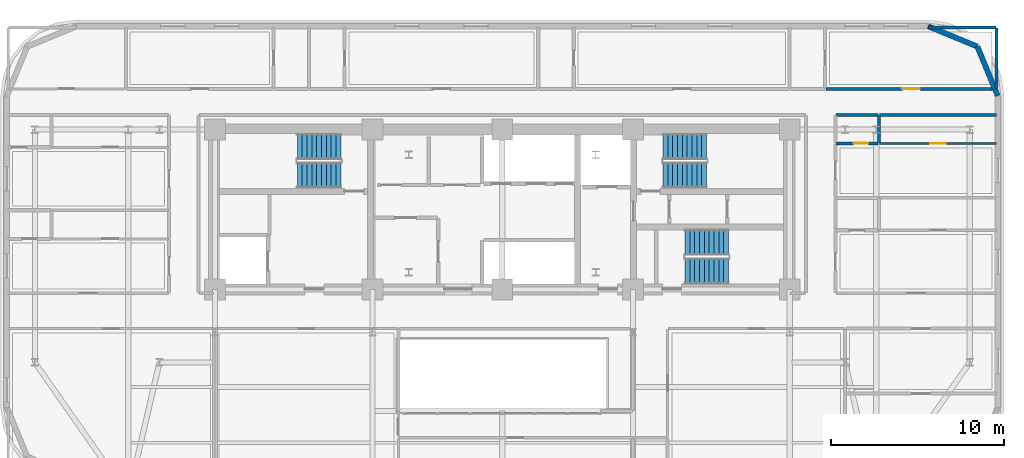
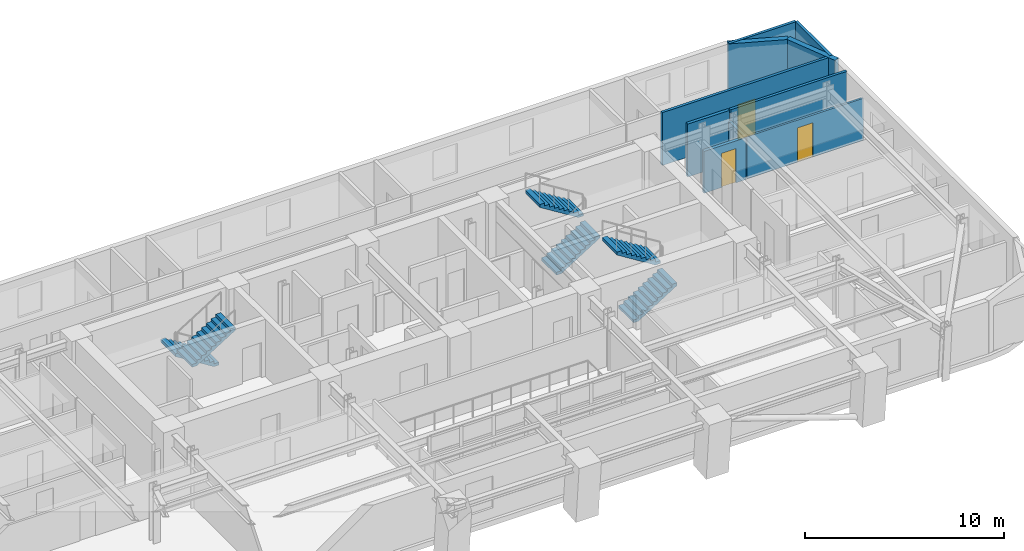
# One storey, part 11 of 14: 10 walls, 6 stair flights, 3 doors, 3 openings, 3 elements without a shape of their own.
"""IFC4 building model written with IfcOpenShell, lengths in metres."""

from ifc_helpers import new_model, si_unit, direction, frame, frame_2d, origin, place, context, subcontext, project, spatial, polyline, rectangle, outline, extrude, material, layer, layer_set, type_object, element, fill, aggregate, save


model = new_model("IFC4")

# Units and contexts
model_context = context("Model", 3, precision=1e-05, world=origin(), true_north=direction((0.0, 1.0)))
body_context = subcontext(model_context, "Body", "Model", "MODEL_VIEW")
ifc_project = project(units=[si_unit("LENGTHUNIT", "METRE"), si_unit("AREAUNIT", "SQUARE_METRE"), si_unit("VOLUMEUNIT", "CUBIC_METRE"), si_unit("PLANEANGLEUNIT", "RADIAN"), si_unit("MASSUNIT", "GRAM", prefix="KILO")], contexts=[model_context])

# Site, building, storey
site_placement = place(None, origin())
site = spatial("IfcSite", under=ifc_project, at=site_placement, CompositionType="ELEMENT")
building_placement = place(site_placement, origin())
building = spatial("IfcBuilding", under=site, at=building_placement, Name="Zarnavel Station Tower", CompositionType="ELEMENT")
storey_placement = place(building_placement, frame((0.0, 0.0, 122.300048828125)))
storey = spatial("IfcBuildingStorey", under=building, at=storey_placement, Name="L33", CompositionType="ELEMENT", Elevation=122.300048828125)

# Walls
ifc_material_1 = material(Name="Precast concrete C45/55 (Dark Basalt Finish)", Category="masonry")
ifc_layer_1 = layer(ifc_material_1, 0.300048828125)
ifc_layer_set_1 = layer_set([ifc_layer_1], Name="EW_BASALT_300")
wall_type_1 = type_object("IfcWallType", Name="EW_BASALT_300", PredefinedType="SOLIDWALL", material=ifc_layer_set_1)
wall_1_placement = place(storey_placement, frame((56.24267578125, 41.842529296875, 0.0), z_axis=(0.0, 0.0, 1.0), x_axis=(0.382636798336, -0.92389884758, 0.0)))
element("IfcWall", 1, at=wall_1_placement, inside=storey, type_object=wall_type_1, Name="L33 Exterior Basalt Masonry Frame Wall 04", PredefinedType="SOLIDWALL", context=body_context, shape_type="SweptSolid", body=[
    extrude(rectangle(XDim=3.07666015625, YDim=0.300048828125, at=frame_2d((1.538330078125, 0.0))), origin(), (0.0, 0.0, 1.0), 3.239990234375),
])
wall_2_placement = place(storey_placement, frame((53.39990234375, 43.02001953125, 0.0), z_axis=(0.0, 0.0, 1.0), x_axis=(0.923882414032, -0.382676475685, 0.0)))
element("IfcWall", 2, at=wall_2_placement, inside=storey, type_object=wall_type_1, Name="L33 Exterior Basalt Masonry Frame Wall 05", PredefinedType="SOLIDWALL", context=body_context, shape_type="SweptSolid", body=[
    extrude(rectangle(XDim=3.076904296875, YDim=0.300048828125, at=frame_2d((1.53857421875, 0.0))), origin(), (0.0, 0.0, 1.0), 3.239990234375),
])
ifc_material_2 = material(Name="Gypsum Twin-Stud Acoustic Fire Partition", Category="concrete")
ifc_layer_2 = layer(ifc_material_2, 0.159912109375)
ifc_layer_set_2 = layer_set([ifc_layer_2], Name="PT_DEMISE_160")
wall_type_2 = type_object("IfcWallType", Name="PT_DEMISE_160", PredefinedType="PARTITIONING", material=ifc_layer_set_2)
wall_3_placement = place(storey_placement, frame((50.590087890625, 37.89990234375, 0.0), z_axis=(0.0, 0.0, 1.0), x_axis=(1.0, 0.0, 0.0)))
element("IfcWall", 3, at=wall_3_placement, inside=storey, type_object=wall_type_2, Name="L33 Partition COR-N-FNE2S", PredefinedType="PARTITIONING", context=body_context, shape_type="SweptSolid", body=[
    extrude(rectangle(XDim=6.75, YDim=0.159912109375, at=frame_2d((3.375, 0.0))), origin(), (0.0, 0.0, 1.0), 3.239990234375),
])

# Wall, opening, door
wall_4_placement = place(storey_placement, frame((47.489990234375, 39.39990234375, 0.0), z_axis=(0.0, 0.0, 1.0), x_axis=(1.0, 0.0, 0.0)))
wall_4 = element("IfcWall", 4, at=wall_4_placement, inside=storey, type_object=wall_type_2, Name="L33 Partition COR-N-HN4R", PredefinedType="PARTITIONING", context=body_context, shape_type="SweptSolid", body=[
    extrude(rectangle(XDim=9.85009765625, YDim=0.159912109375, at=frame_2d((4.925048828125, 0.0))), origin(), (0.0, 0.0, 1.0), 3.239990234375),
])
opening_1_placement = place(wall_4_placement, frame((4.425048828125, 0.0, 0.0)))
opening_1 = element("IfcOpeningElement", 5, at=opening_1_placement, cuts=wall_4, Name="Opening FD02", PredefinedType="OPENING", context=body_context, shape_type="SweptSolid", body=[
    extrude(rectangle(XDim=1.0, YDim=2.14990234375, at=frame_2d((0.5, 1.074951171875))), frame((0.0, 0.08984375, 0.0), z_axis=(0.0, -1.0, 0.0), x_axis=(1.0, 0.0, 0.0)), (0.0, 0.0, 1.0), 0.179931640625),
])
ifc_material_3 = material(Name="Painted Galvanised Steel and Hardwood Leaf", Category="steel")
door_type_1 = type_object("IfcDoorType", Name="ID_ENTRY_1000", OperationType="NOTDEFINED", PredefinedType="DOOR", material=ifc_material_3)
door_1_placement = place(opening_1_placement, origin())
door_1 = element("IfcDoor", 6, at=door_1_placement, inside=storey, type_object=door_type_1, Name="L33 Door COR-N-HN4R", OperationType="SINGLE_SWING_RIGHT", OverallHeight=2.14990234375, OverallWidth=1.0, PredefinedType="DOOR", context=body_context, shape_type="SweptSolid", body=[
    extrude(rectangle(XDim=1.0, YDim=2.14990234375, at=frame_2d((0.5, 1.074951171875))), frame((0.0, 0.02490234375, 0.0), z_axis=(0.0, -1.0, 0.0), x_axis=(1.0, 0.0, 0.0)), (0.0, 0.0, 1.0), 0.050048828125),
])
fill(opening_1, door_1)

# Walls
wall_5_placement = place(storey_placement, frame((53.429931640625, 42.93994140625, 0.0), z_axis=(0.0, 0.0, 1.0), x_axis=(1.0, 0.0, 0.0)))
element("IfcWall", 7, at=wall_5_placement, inside=storey, type_object=wall_type_2, Name="L33 Enclosure Wall HN4R", PredefinedType="PARTITIONING", context=body_context, shape_type="SweptSolid", body=[
    extrude(rectangle(XDim=3.880126953125, YDim=0.159912109375, at=frame_2d((1.93994140625, 0.0))), origin(), (0.0, 0.0, 1.0), 3.239990234375),
])
wall_6_placement = place(storey_placement, frame((57.340087890625, 39.429931640625, 0.0), z_axis=(0.0, 0.0, 1.0), x_axis=(0.0, 1.0, 0.0)))
element("IfcWall", 8, at=wall_6_placement, inside=storey, type_object=wall_type_2, Name="L33 Enclosure Wall HN4R", PredefinedType="PARTITIONING", context=body_context, shape_type="SweptSolid", body=[
    extrude(rectangle(XDim=3.47998046875, YDim=0.159912109375, at=frame_2d((1.739990234375, 0.0))), origin(), (0.0, 0.0, 1.0), 3.239990234375),
])

# Wall, opening, door
ifc_material_4 = material(Name="Gypsum Metal-Stud Interior Partition", Category="concrete")
ifc_layer_3 = layer(ifc_material_4, 0.1201171875)
ifc_layer_set_3 = layer_set([ifc_layer_3], Name="PT_ROOM_120")
wall_type_3 = type_object("IfcWallType", Name="PT_ROOM_120", PredefinedType="PARTITIONING", material=ifc_layer_set_3)
wall_7_placement = place(storey_placement, frame((50.590087890625, 36.25, 0.0), z_axis=(0.0, 0.0, 1.0), x_axis=(1.0, 0.0, 0.0)))
wall_7 = element("IfcWall", 9, at=wall_7_placement, inside=storey, type_object=wall_type_3, Name="L33 Partition FNE2R-FNE2S", PredefinedType="PARTITIONING", context=body_context, shape_type="SweptSolid", body=[
    extrude(rectangle(XDim=6.75, YDim=0.1201171875, at=frame_2d((3.375, 0.0))), origin(), (0.0, 0.0, 1.0), 2.570068359375),
])
opening_2_placement = place(wall_7_placement, frame((2.925048828125, 0.0, 0.0)))
opening_2 = element("IfcOpeningElement", 10, at=opening_2_placement, cuts=wall_7, Name="Opening ID01", PredefinedType="OPENING", context=body_context, shape_type="SweptSolid", body=[
    extrude(rectangle(XDim=0.89990234375, YDim=2.10009765625, at=frame_2d((0.449951171875, 1.050048828125))), frame((0.0, 0.070068359375, 0.0), z_axis=(0.0, -1.0, 0.0), x_axis=(1.0, 0.0, 0.0)), (0.0, 0.0, 1.0), 0.14013671875),
])
ifc_material_5 = material(Name="Painted Galvanised Steel and Hardwood Leaf", Category="steel")
door_type_2 = type_object("IfcDoorType", Name="ID_ROOM_900", OperationType="NOTDEFINED", PredefinedType="DOOR", material=ifc_material_5)
door_2_placement = place(opening_2_placement, origin())
door_2 = element("IfcDoor", 11, at=door_2_placement, inside=storey, type_object=door_type_2, Name="L33 Door FNE2R-FNE2S", OperationType="SINGLE_SWING_LEFT", OverallHeight=2.10009765625, OverallWidth=0.89990234375, PredefinedType="DOOR", context=body_context, shape_type="SweptSolid", body=[
    extrude(rectangle(XDim=0.89990234375, YDim=2.10009765625, at=frame_2d((0.449951171875, 1.050048828125))), frame((0.0, 0.02490234375, 0.0), z_axis=(0.0, -1.0, 0.0), x_axis=(1.0, 0.0, 0.0)), (0.0, 0.0, 1.0), 0.050048828125),
])
fill(opening_2, door_2)

# Wall
ifc_material_6 = material(Name="Moisture-Resistant Plumbing Chase Wall", Category="concrete")
ifc_layer_4 = layer(ifc_material_6, 0.179931640625)
ifc_layer_set_4 = layer_set([ifc_layer_4], Name="PW_PLUMB_180")
wall_type_4 = type_object("IfcWallType", Name="PW_PLUMB_180", PredefinedType="PLUMBINGWALL", material=ifc_layer_set_4)
wall_8_placement = place(storey_placement, frame((48.090087890625, 37.89990234375, 0.0), z_axis=(0.0, 0.0, 1.0), x_axis=(1.0, 0.0, 0.0)))
element("IfcWall", 12, at=wall_8_placement, inside=storey, type_object=wall_type_4, Name="L33 Partition COR-N-FNE2B", PredefinedType="PLUMBINGWALL", context=body_context, shape_type="SweptSolid", body=[
    extrude(rectangle(XDim=2.419921875, YDim=0.179931640625, at=frame_2d((1.2099609375, 0.0))), origin(), (0.0, 0.0, 1.0), 3.239990234375),
])

# Wall, opening, door
wall_9_placement = place(storey_placement, frame((50.510009765625, 36.25, 0.0), z_axis=(0.0, 0.0, 1.0), x_axis=(-1.0, 0.0, 0.0)))
wall_9 = element("IfcWall", 13, at=wall_9_placement, inside=storey, type_object=wall_type_4, Name="L33 Partition FNE2R-FNE2B", PredefinedType="PLUMBINGWALL", context=body_context, shape_type="SweptSolid", body=[
    extrude(rectangle(XDim=2.419921875, YDim=0.179931640625, at=frame_2d((1.2099609375, 0.0))), origin(), (0.0, 0.0, 1.0), 2.570068359375),
])
opening_3_placement = place(wall_9_placement, frame((0.570068359375, 0.0, 0.0)))
opening_3 = element("IfcOpeningElement", 14, at=opening_3_placement, cuts=wall_9, Name="Opening ID02", PredefinedType="OPENING", context=body_context, shape_type="SweptSolid", body=[
    extrude(rectangle(XDim=0.85009765625, YDim=2.10009765625, at=frame_2d((0.425048828125, 1.050048828125))), frame((0.0, 0.099853515625, 0.0), z_axis=(0.0, -1.0, 0.0), x_axis=(1.0, 0.0, 0.0)), (0.0, 0.0, 1.0), 0.199951171875),
])
ifc_material_7 = material(Name="Painted Galvanised Steel and Hardwood Leaf", Category="steel")
door_type_3 = type_object("IfcDoorType", Name="ID_BATH_850", OperationType="NOTDEFINED", PredefinedType="DOOR", material=ifc_material_7)
door_3_placement = place(opening_3_placement, origin())
door_3 = element("IfcDoor", 15, at=door_3_placement, inside=storey, type_object=door_type_3, Name="L33 Door FNE2R-FNE2B", OperationType="SINGLE_SWING_RIGHT", OverallHeight=2.10009765625, OverallWidth=0.85009765625, PredefinedType="DOOR", context=body_context, shape_type="SweptSolid", body=[
    extrude(rectangle(XDim=0.85009765625, YDim=2.10009765625, at=frame_2d((0.425048828125, 1.050048828125))), frame((0.0, 0.02490234375, 0.0), z_axis=(0.0, -1.0, 0.0), x_axis=(1.0, 0.0, 0.0)), (0.0, 0.0, 1.0), 0.050048828125),
])
fill(opening_3, door_3)

# Wall
wall_10_placement = place(storey_placement, frame((50.550048828125, 36.2900390625, 0.0), z_axis=(0.0, 0.0, 1.0), x_axis=(0.0, 1.0, 0.0)))
element("IfcWall", 16, at=wall_10_placement, inside=storey, type_object=wall_type_4, Name="L33 Partition FNE2B-FNE2S", PredefinedType="PLUMBINGWALL", context=body_context, shape_type="SweptSolid", body=[
    extrude(rectangle(XDim=1.570068359375, YDim=0.179931640625, at=frame_2d((0.78515625, 0.0))), origin(), (0.0, 0.0, 1.0), 2.570068359375),
])

# Stair, stair flights
ifc_material_8 = material(Name="Concrete C45/55", Category="concrete")
stair_type = type_object("IfcStairType", Name="ST_CORE_150", PredefinedType="HALF_TURN_STAIR", material=ifc_material_8)
stair_1_placement = place(storey_placement, origin())
stair_1 = element("IfcStair", 17, at=stair_1_placement, inside=storey, type_object=stair_type, Name="L33 Core Exit Stair ST1", PredefinedType="HALF_TURN_STAIR")
ifc_material_9 = material(Name="Concrete C45/55", Category="concrete")
ifc_layer_5 = layer(ifc_material_9, 0.179931640625)
ifc_layer_set_5 = layer_set([ifc_layer_5], Name="ST_CORE_150_FLT")
stair_flight_type = type_object("IfcStairFlightType", Name="ST_CORE_150_FLT", PredefinedType="STRAIGHT", material=ifc_layer_set_5)
stair_flight_1_placement = place(storey_placement, frame((19.47998046875, 36.070068359375, 0.0), z_axis=(0.0, 0.0, 1.0), x_axis=(-1.0, 0.0, 0.0)))
stair_flight_1 = element("IfcStairFlight", 18, at=stair_flight_1_placement, type_object=stair_flight_type, Name="ST1 flight 1", NumberOfRisers=10, NumberOfTreads=9, PredefinedType="STRAIGHT", RiserHeight=0.175, TreadLength=0.28, context=body_context, shape_type="SweptSolid", body=[
    extrude(outline(polyline([(0.0, 0.0), (0.0, 0.175048828125), (0.280029296875, 0.175048828125), (0.280029296875, 0.35009765625), (0.56005859375, 0.35009765625), (0.56005859375, 0.52490234375), (0.840087890625, 0.52490234375), (0.840087890625, 0.699951171875), (1.1201171875, 0.699951171875), (1.1201171875, 0.875), (1.39990234375, 0.875), (1.39990234375, 1.050048828125), (1.679931640625, 1.050048828125), (1.679931640625, 1.22509765625), (1.9599609375, 1.22509765625), (1.9599609375, 1.39990234375), (2.239990234375, 1.39990234375), (2.239990234375, 1.574951171875), (2.52001953125, 1.574951171875), (2.52001953125, 1.75), (2.52001953125, 1.398193359375), (0.28271484375, 0.0), (0.0, 0.0)])), frame((0.0, 0.75, 0.0), z_axis=(0.0, -1.0, 0.0), x_axis=(1.0, 0.0, 0.0)), (0.0, 0.0, 1.0), 1.5),
])
stair_flight_2_placement = place(storey_placement, frame((16.9599609375, 34.409912109375, 1.75), z_axis=(0.0, 0.0, 1.0), x_axis=(1.0, 0.0, 0.0)))
stair_flight_2 = element("IfcStairFlight", 19, at=stair_flight_2_placement, type_object=stair_flight_type, Name="ST1 flight 2", NumberOfRisers=10, NumberOfTreads=9, PredefinedType="STRAIGHT", RiserHeight=0.175, TreadLength=0.28, context=body_context, shape_type="SweptSolid", body=[
    extrude(outline(polyline([(0.0, 0.0), (0.0, 0.175048828125), (0.280029296875, 0.175048828125), (0.280029296875, 0.35009765625), (0.56005859375, 0.35009765625), (0.56005859375, 0.52490234375), (0.840087890625, 0.52490234375), (0.840087890625, 0.699951171875), (1.1201171875, 0.699951171875), (1.1201171875, 0.875), (1.39990234375, 0.875), (1.39990234375, 1.050048828125), (1.679931640625, 1.050048828125), (1.679931640625, 1.22509765625), (1.9599609375, 1.22509765625), (1.9599609375, 1.39990234375), (2.239990234375, 1.39990234375), (2.239990234375, 1.574951171875), (2.52001953125, 1.574951171875), (2.52001953125, 1.75), (2.52001953125, 1.398193359375), (0.28271484375, 0.0), (0.0, 0.0)])), frame((0.0, 0.75, 0.0), z_axis=(0.0, -1.0, 0.0), x_axis=(1.0, 0.0, 0.0)), (0.0, 0.0, 1.0), 1.5),
])
aggregate(stair_1, [stair_flight_1, stair_flight_2])

stair_2_placement = place(storey_placement, origin())
stair_2 = element("IfcStair", 20, at=stair_2_placement, inside=storey, type_object=stair_type, Name="L33 Core Exit Stair ST2", PredefinedType="HALF_TURN_STAIR")
stair_flight_3_placement = place(storey_placement, frame((38.080078125, 34.409912109375, 0.0), z_axis=(0.0, 0.0, 1.0), x_axis=(1.0, 0.0, 0.0)))
stair_flight_3 = element("IfcStairFlight", 21, at=stair_flight_3_placement, type_object=stair_flight_type, Name="ST2 flight 1", NumberOfRisers=10, NumberOfTreads=9, PredefinedType="STRAIGHT", RiserHeight=0.175, TreadLength=0.28, context=body_context, shape_type="SweptSolid", body=[
    extrude(outline(polyline([(0.0, 0.0), (0.0, 0.175048828125), (0.280029296875, 0.175048828125), (0.280029296875, 0.35009765625), (0.56005859375, 0.35009765625), (0.56005859375, 0.52490234375), (0.840087890625, 0.52490234375), (0.840087890625, 0.699951171875), (1.1201171875, 0.699951171875), (1.1201171875, 0.875), (1.39990234375, 0.875), (1.39990234375, 1.050048828125), (1.679931640625, 1.050048828125), (1.679931640625, 1.22509765625), (1.9599609375, 1.22509765625), (1.9599609375, 1.39990234375), (2.239990234375, 1.39990234375), (2.239990234375, 1.574951171875), (2.52001953125, 1.574951171875), (2.52001953125, 1.75), (2.52001953125, 1.398193359375), (0.28271484375, 0.0), (0.0, 0.0)])), frame((0.0, 0.75, 0.0), z_axis=(0.0, -1.0, 0.0), x_axis=(1.0, 0.0, 0.0)), (0.0, 0.0, 1.0), 1.5),
])
stair_flight_4_placement = place(storey_placement, frame((40.60009765625, 36.070068359375, 1.75), z_axis=(0.0, 0.0, 1.0), x_axis=(-1.0, 0.0, 0.0)))
stair_flight_4 = element("IfcStairFlight", 22, at=stair_flight_4_placement, type_object=stair_flight_type, Name="ST2 flight 2", NumberOfRisers=10, NumberOfTreads=9, PredefinedType="STRAIGHT", RiserHeight=0.175, TreadLength=0.28, context=body_context, shape_type="SweptSolid", body=[
    extrude(outline(polyline([(0.0, 0.0), (0.0, 0.175048828125), (0.280029296875, 0.175048828125), (0.280029296875, 0.35009765625), (0.56005859375, 0.35009765625), (0.56005859375, 0.52490234375), (0.840087890625, 0.52490234375), (0.840087890625, 0.699951171875), (1.1201171875, 0.699951171875), (1.1201171875, 0.875), (1.39990234375, 0.875), (1.39990234375, 1.050048828125), (1.679931640625, 1.050048828125), (1.679931640625, 1.22509765625), (1.9599609375, 1.22509765625), (1.9599609375, 1.39990234375), (2.239990234375, 1.39990234375), (2.239990234375, 1.574951171875), (2.52001953125, 1.574951171875), (2.52001953125, 1.75), (2.52001953125, 1.398193359375), (0.28271484375, 0.0), (0.0, 0.0)])), frame((0.0, 0.75, 0.0), z_axis=(0.0, -1.0, 0.0), x_axis=(1.0, 0.0, 0.0)), (0.0, 0.0, 1.0), 1.5),
])
aggregate(stair_2, [stair_flight_3, stair_flight_4])

stair_3_placement = place(storey_placement, origin())
stair_3 = element("IfcStair", 23, at=stair_3_placement, inside=storey, type_object=stair_type, Name="L33 Core Exit Stair ST3", PredefinedType="HALF_TURN_STAIR")
stair_flight_5_placement = place(storey_placement, frame((39.35009765625, 28.8701171875, 0.0), z_axis=(0.0, 0.0, 1.0), x_axis=(1.0, 0.0, 0.0)))
stair_flight_5 = element("IfcStairFlight", 24, at=stair_flight_5_placement, type_object=stair_flight_type, Name="ST3 flight 1", NumberOfRisers=10, NumberOfTreads=9, PredefinedType="STRAIGHT", RiserHeight=0.175, TreadLength=0.28, context=body_context, shape_type="SweptSolid", body=[
    extrude(outline(polyline([(0.0, 0.0), (0.0, 0.175048828125), (0.280029296875, 0.175048828125), (0.280029296875, 0.35009765625), (0.56005859375, 0.35009765625), (0.56005859375, 0.52490234375), (0.840087890625, 0.52490234375), (0.840087890625, 0.699951171875), (1.1201171875, 0.699951171875), (1.1201171875, 0.875), (1.39990234375, 0.875), (1.39990234375, 1.050048828125), (1.679931640625, 1.050048828125), (1.679931640625, 1.22509765625), (1.9599609375, 1.22509765625), (1.9599609375, 1.39990234375), (2.239990234375, 1.39990234375), (2.239990234375, 1.574951171875), (2.52001953125, 1.574951171875), (2.52001953125, 1.75), (2.52001953125, 1.398193359375), (0.28271484375, 0.0), (0.0, 0.0)])), frame((0.0, 0.75, 0.0), z_axis=(0.0, -1.0, 0.0), x_axis=(1.0, 0.0, 0.0)), (0.0, 0.0, 1.0), 1.5),
])
stair_flight_6_placement = place(storey_placement, frame((41.8701171875, 30.530029296875, 1.75), z_axis=(0.0, 0.0, 1.0), x_axis=(-1.0, 0.0, 0.0)))
stair_flight_6 = element("IfcStairFlight", 25, at=stair_flight_6_placement, type_object=stair_flight_type, Name="ST3 flight 2", NumberOfRisers=10, NumberOfTreads=9, PredefinedType="STRAIGHT", RiserHeight=0.175, TreadLength=0.28, context=body_context, shape_type="SweptSolid", body=[
    extrude(outline(polyline([(0.0, 0.0), (0.0, 0.175048828125), (0.280029296875, 0.175048828125), (0.280029296875, 0.35009765625), (0.56005859375, 0.35009765625), (0.56005859375, 0.52490234375), (0.840087890625, 0.52490234375), (0.840087890625, 0.699951171875), (1.1201171875, 0.699951171875), (1.1201171875, 0.875), (1.39990234375, 0.875), (1.39990234375, 1.050048828125), (1.679931640625, 1.050048828125), (1.679931640625, 1.22509765625), (1.9599609375, 1.22509765625), (1.9599609375, 1.39990234375), (2.239990234375, 1.39990234375), (2.239990234375, 1.574951171875), (2.52001953125, 1.574951171875), (2.52001953125, 1.75), (2.52001953125, 1.398193359375), (0.28271484375, 0.0), (0.0, 0.0)])), frame((0.0, 0.75, 0.0), z_axis=(0.0, -1.0, 0.0), x_axis=(1.0, 0.0, 0.0)), (0.0, 0.0, 1.0), 1.5),
])
aggregate(stair_3, [stair_flight_5, stair_flight_6])

save(model, "model.ifc")
